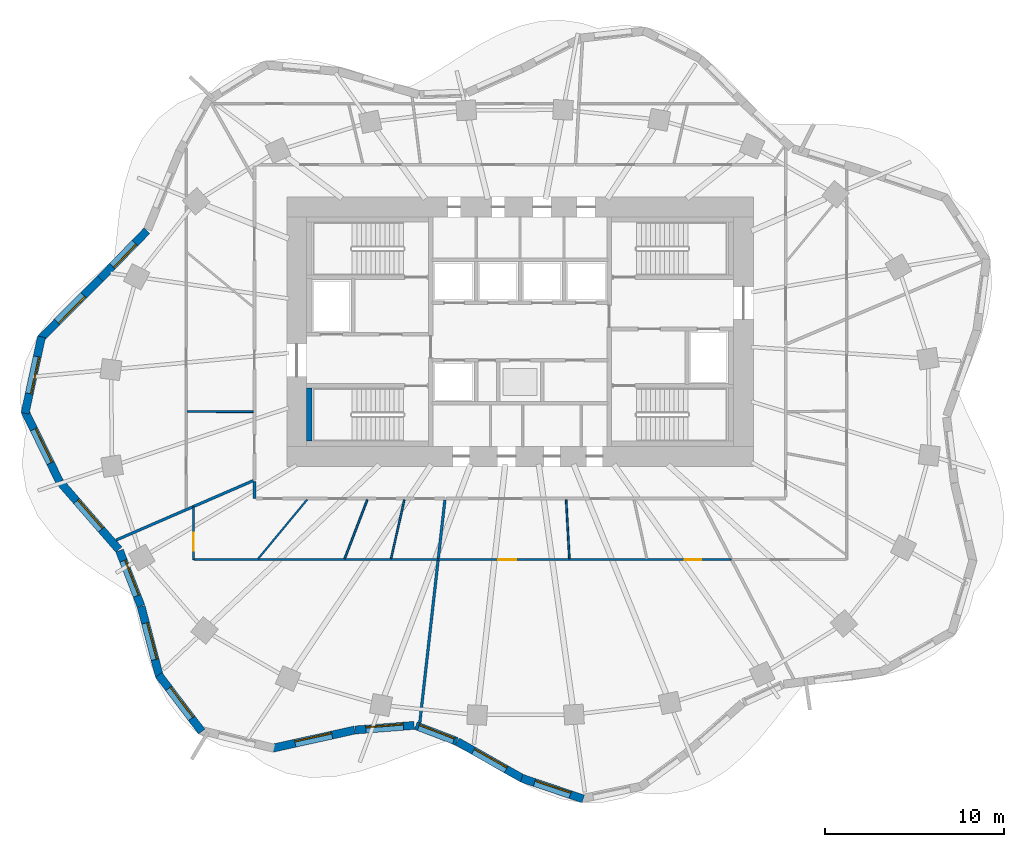
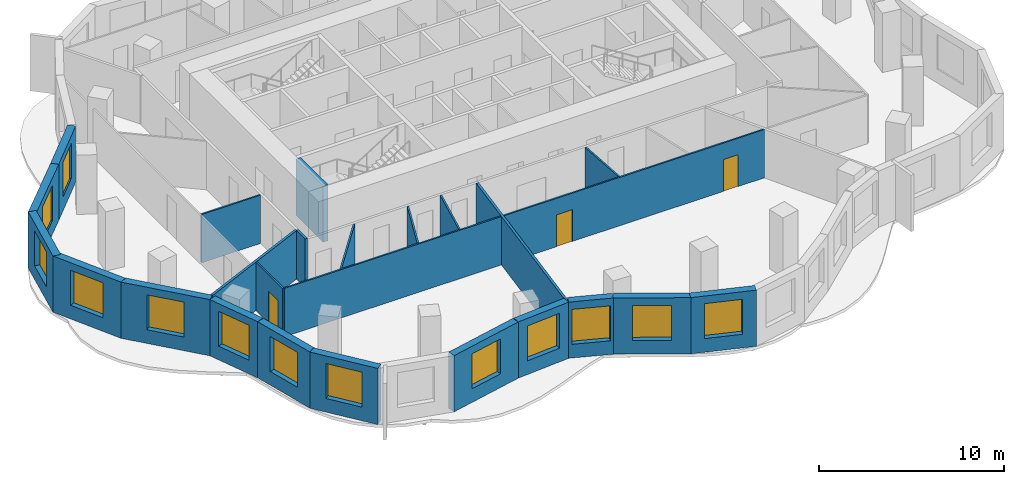
# One storey, part 3 of 10: 25 walls, 13 windows, 3 doors, 16 openings.
"""IFC4 building model written with IfcOpenShell, lengths in metres."""

from ifc_helpers import new_model, si_unit, direction, frame, frame_2d, origin, place, context, subcontext, project, spatial, rectangle, extrude, material, layer, layer_set, type_object, element, fill, save


model = new_model("IFC4")

# Units and contexts
model_context = context("Model", 3, precision=1e-05, world=origin(), true_north=direction((0.0, 1.0)))
body_context = subcontext(model_context, "Body", "Model", "MODEL_VIEW")
ifc_project = project(units=[si_unit("LENGTHUNIT", "METRE"), si_unit("AREAUNIT", "SQUARE_METRE"), si_unit("VOLUMEUNIT", "CUBIC_METRE"), si_unit("PLANEANGLEUNIT", "RADIAN"), si_unit("MASSUNIT", "GRAM", prefix="KILO")], contexts=[model_context])

# Site, building, storey
site_placement = place(None, origin())
site = spatial("IfcSite", under=ifc_project, at=site_placement, CompositionType="ELEMENT")
building_placement = place(site_placement, origin())
building = spatial("IfcBuilding", under=site, at=building_placement, Name="Rubra Terraces Tower", CompositionType="ELEMENT")
storey_placement = place(building_placement, frame((0.0, 0.0, 134.39990234375)))
storey = spatial("IfcBuildingStorey", under=building, at=storey_placement, Name="L32", CompositionType="ELEMENT", Elevation=134.39990234375)

# Wall, opening, window
ifc_material_1 = material(Name="Brick masonry red-brown", Category="masonry")
ifc_layer_1 = layer(ifc_material_1, 0.449951171875)
ifc_layer_set_1 = layer_set([ifc_layer_1], Name="Brick masonry red-brown")
wall_type_1 = type_object("IfcWallType", Name="Brick facade wall 450", PredefinedType="SOLIDWALL", material=ifc_layer_set_1)
wall_1_placement = place(storey_placement, frame((-20.795654296875, 10.1240234375, 0.0), z_axis=(0.0, 0.0, 1.0), x_axis=(-0.697121527554, -0.716952980203, 0.0)))
wall_1 = element("IfcWall", 1, at=wall_1_placement, inside=storey, type_object=wall_type_1, Name="Facade wall L32 bay 18", PredefinedType="SOLIDWALL", context=body_context, shape_type="SweptSolid", body=[
    extrude(rectangle(XDim=3.7177734375, YDim=0.449951171875, at=frame_2d((1.85888671875, 0.0))), origin(), (0.0, 0.0, 1.0), 3.7001953125),
])
opening_1_placement = place(wall_1_placement, frame((0.958984375, 0.0, 0.89990234375)))
opening_1 = element("IfcOpeningElement", 2, at=opening_1_placement, cuts=wall_1, Name="Opening W6B", PredefinedType="OPENING", context=body_context, shape_type="SweptSolid", body=[
    extrude(rectangle(XDim=1.800048828125, YDim=2.300048828125, at=frame_2d((0.89990234375, 1.14990234375))), frame((0.0, 0.23486328125, 0.0), z_axis=(0.0, -1.0, 0.0), x_axis=(1.0, 0.0, 0.0)), (0.0, 0.0, 1.0), 0.469970703125),
])
ifc_material_2 = material(Name="Clear glass in aluminium frame", Category="aluminium")
window_type_1 = type_object("IfcWindowType", Name="Fixed deep-set window at wind fin tall storey 1800 x 2300", PartitioningType="SINGLE_PANEL", PredefinedType="WINDOW", material=ifc_material_2)
window_1_placement = place(opening_1_placement, origin())
window_1 = element("IfcWindow", 3, at=window_1_placement, inside=storey, type_object=window_type_1, Name="Window L32 bay 18", OverallHeight=2.300048828125, OverallWidth=1.800048828125, PartitioningType="SINGLE_PANEL", PredefinedType="WINDOW", context=body_context, shape_type="SweptSolid", body=[
    extrude(rectangle(XDim=1.800048828125, YDim=2.300048828125, at=frame_2d((0.89990234375, 1.14990234375))), frame((0.0, 0.135009765625, 0.0), z_axis=(0.0, -1.0, 0.0), x_axis=(1.0, 0.0, 0.0)), (0.0, 0.0, 1.0), 0.06005859375),
])
fill(opening_1, window_1)

wall_2_placement = place(storey_placement, frame((-23.389892578125, 7.45556640625, 0.0), z_axis=(0.0, 0.0, 1.0), x_axis=(-0.705349231702, -0.708859973011, 0.0)))
wall_2 = element("IfcWall", 4, at=wall_2_placement, inside=storey, type_object=wall_type_1, Name="Facade wall L32 bay 19", PredefinedType="SOLIDWALL", context=body_context, shape_type="SweptSolid", body=[
    extrude(rectangle(XDim=4.728759765625, YDim=0.449951171875, at=frame_2d((2.3642578125, 0.0))), origin(), (0.0, 0.0, 1.0), 3.7001953125),
])
opening_2_placement = place(wall_2_placement, frame((1.314453125, 0.0, 0.89990234375)))
opening_2 = element("IfcOpeningElement", 5, at=opening_2_placement, cuts=wall_2, Name="Opening W1B", PredefinedType="OPENING", context=body_context, shape_type="SweptSolid", body=[
    extrude(rectangle(XDim=2.10009765625, YDim=2.300048828125, at=frame_2d((1.050048828125, 1.14990234375))), frame((0.0, 0.23486328125, 0.0), z_axis=(0.0, -1.0, 0.0), x_axis=(1.0, 0.0, 0.0)), (0.0, 0.0, 1.0), 0.469970703125),
])
window_type_2 = type_object("IfcWindowType", Name="Fixed deep-set window tall storey 2100 x 2300", PartitioningType="SINGLE_PANEL", PredefinedType="WINDOW", material=ifc_material_2)
window_2_placement = place(opening_2_placement, origin())
window_2 = element("IfcWindow", 6, at=window_2_placement, inside=storey, type_object=window_type_2, Name="Window L32 bay 19", OverallHeight=2.300048828125, OverallWidth=2.10009765625, PartitioningType="SINGLE_PANEL", PredefinedType="WINDOW", context=body_context, shape_type="SweptSolid", body=[
    extrude(rectangle(XDim=2.10009765625, YDim=2.300048828125, at=frame_2d((1.050048828125, 1.14990234375))), frame((0.0, 0.135009765625, 0.0), z_axis=(0.0, -1.0, 0.0), x_axis=(1.0, 0.0, 0.0)), (0.0, 0.0, 1.0), 0.06005859375),
])
fill(opening_2, window_2)

wall_3_placement = place(storey_placement, frame((-26.668212890625, 4.21142578125, 0.0), z_axis=(0.0, 0.0, 1.0), x_axis=(-0.210910311825, -0.977505417052, 0.0)))
wall_3 = element("IfcWall", 7, at=wall_3_placement, inside=storey, type_object=wall_type_1, Name="Facade wall L32 bay 20", PredefinedType="SOLIDWALL", context=body_context, shape_type="SweptSolid", body=[
    extrude(rectangle(XDim=4.35693359375, YDim=0.449951171875, at=frame_2d((2.178466796875, 0.0))), origin(), (0.0, 0.0, 1.0), 3.7001953125),
])
opening_3_placement = place(wall_3_placement, frame((1.12841796875, 0.0, 0.89990234375)))
opening_3 = element("IfcOpeningElement", 8, at=opening_3_placement, cuts=wall_3, Name="Opening W1B", PredefinedType="OPENING", context=body_context, shape_type="SweptSolid", body=[
    extrude(rectangle(XDim=2.10009765625, YDim=2.300048828125, at=frame_2d((1.050048828125, 1.14990234375))), frame((0.0, 0.23486328125, 0.0), z_axis=(0.0, -1.0, 0.0), x_axis=(1.0, 0.0, 0.0)), (0.0, 0.0, 1.0), 0.469970703125),
])
window_3_placement = place(opening_3_placement, origin())
window_3 = element("IfcWindow", 9, at=window_3_placement, inside=storey, type_object=window_type_2, Name="Window L32 bay 20", OverallHeight=2.300048828125, OverallWidth=2.10009765625, PartitioningType="SINGLE_PANEL", PredefinedType="WINDOW", context=body_context, shape_type="SweptSolid", body=[
    extrude(rectangle(XDim=2.10009765625, YDim=2.300048828125, at=frame_2d((1.050048828125, 1.14990234375))), frame((0.0, 0.135009765625, 0.0), z_axis=(0.0, -1.0, 0.0), x_axis=(1.0, 0.0, 0.0)), (0.0, 0.0, 1.0), 0.06005859375),
])
fill(opening_3, window_3)

wall_4_placement = place(storey_placement, frame((-27.60498046875, 0.09912109375, 0.0), z_axis=(0.0, 0.0, 1.0), x_axis=(0.440876526139, -0.897567762734, 0.0)))
wall_4 = element("IfcWall", 10, at=wall_4_placement, inside=storey, type_object=wall_type_1, Name="Facade wall L32 bay 21", PredefinedType="SOLIDWALL", context=body_context, shape_type="SweptSolid", body=[
    extrude(rectangle(XDim=4.4150390625, YDim=0.449951171875, at=frame_2d((2.20751953125, 0.0))), origin(), (0.0, 0.0, 1.0), 3.7001953125),
])
opening_4_placement = place(wall_4_placement, frame((1.15771484375, 0.0, 0.89990234375)))
opening_4 = element("IfcOpeningElement", 11, at=opening_4_placement, cuts=wall_4, Name="Opening W1B", PredefinedType="OPENING", context=body_context, shape_type="SweptSolid", body=[
    extrude(rectangle(XDim=2.10009765625, YDim=2.300048828125, at=frame_2d((1.050048828125, 1.14990234375))), frame((0.0, 0.23486328125, 0.0), z_axis=(0.0, -1.0, 0.0), x_axis=(1.0, 0.0, 0.0)), (0.0, 0.0, 1.0), 0.469970703125),
])
window_4_placement = place(opening_4_placement, origin())
window_4 = element("IfcWindow", 12, at=window_4_placement, inside=storey, type_object=window_type_2, Name="Window L32 bay 21", OverallHeight=2.300048828125, OverallWidth=2.10009765625, PartitioningType="SINGLE_PANEL", PredefinedType="WINDOW", context=body_context, shape_type="SweptSolid", body=[
    extrude(rectangle(XDim=2.10009765625, YDim=2.300048828125, at=frame_2d((1.050048828125, 1.14990234375))), frame((0.0, 0.135009765625, 0.0), z_axis=(0.0, -1.0, 0.0), x_axis=(1.0, 0.0, 0.0)), (0.0, 0.0, 1.0), 0.06005859375),
])
fill(opening_4, window_4)

wall_5_placement = place(storey_placement, frame((-25.690673828125, -3.815185546875, 0.0), z_axis=(0.0, 0.0, 1.0), x_axis=(0.656552883353, -0.754279995334, 0.0)))
wall_5 = element("IfcWall", 13, at=wall_5_placement, inside=storey, type_object=wall_type_1, Name="Facade wall L32 bay 22", PredefinedType="SOLIDWALL", context=body_context, shape_type="SweptSolid", body=[
    extrude(rectangle(XDim=5.0712890625, YDim=0.449951171875, at=frame_2d((2.53564453125, 0.0))), origin(), (0.0, 0.0, 1.0), 3.7001953125),
])
opening_5_placement = place(wall_5_placement, frame((1.485595703125, 0.0, 0.89990234375)))
opening_5 = element("IfcOpeningElement", 14, at=opening_5_placement, cuts=wall_5, Name="Opening W1B", PredefinedType="OPENING", context=body_context, shape_type="SweptSolid", body=[
    extrude(rectangle(XDim=2.10009765625, YDim=2.300048828125, at=frame_2d((1.050048828125, 1.14990234375))), frame((0.0, 0.23486328125, 0.0), z_axis=(0.0, -1.0, 0.0), x_axis=(1.0, 0.0, 0.0)), (0.0, 0.0, 1.0), 0.469970703125),
])
window_5_placement = place(opening_5_placement, origin())
window_5 = element("IfcWindow", 15, at=window_5_placement, inside=storey, type_object=window_type_2, Name="Window L32 bay 22", OverallHeight=2.300048828125, OverallWidth=2.10009765625, PartitioningType="SINGLE_PANEL", PredefinedType="WINDOW", context=body_context, shape_type="SweptSolid", body=[
    extrude(rectangle(XDim=2.10009765625, YDim=2.300048828125, at=frame_2d((1.050048828125, 1.14990234375))), frame((0.0, 0.135009765625, 0.0), z_axis=(0.0, -1.0, 0.0), x_axis=(1.0, 0.0, 0.0)), (0.0, 0.0, 1.0), 0.06005859375),
])
fill(opening_5, window_5)

wall_6_placement = place(storey_placement, frame((-22.323486328125, -7.70068359375, 0.0), z_axis=(0.0, 0.0, 1.0), x_axis=(0.361550075906, -0.932352692178, 0.0)))
wall_6 = element("IfcWall", 16, at=wall_6_placement, inside=storey, type_object=wall_type_1, Name="Facade wall L32 bay 23", PredefinedType="SOLIDWALL", context=body_context, shape_type="SweptSolid", body=[
    extrude(rectangle(XDim=3.3134765625, YDim=0.449951171875, at=frame_2d((1.65673828125, 0.0))), origin(), (0.0, 0.0, 1.0), 3.7001953125),
])
opening_6_placement = place(wall_6_placement, frame((0.606689453125, 0.0, 0.89990234375)))
opening_6 = element("IfcOpeningElement", 17, at=opening_6_placement, cuts=wall_6, Name="Opening W1B", PredefinedType="OPENING", context=body_context, shape_type="SweptSolid", body=[
    extrude(rectangle(XDim=2.10009765625, YDim=2.300048828125, at=frame_2d((1.050048828125, 1.14990234375))), frame((0.0, 0.23486328125, 0.0), z_axis=(0.0, -1.0, 0.0), x_axis=(1.0, 0.0, 0.0)), (0.0, 0.0, 1.0), 0.469970703125),
])
window_6_placement = place(opening_6_placement, origin())
window_6 = element("IfcWindow", 18, at=window_6_placement, inside=storey, type_object=window_type_2, Name="Window L32 bay 23", OverallHeight=2.300048828125, OverallWidth=2.10009765625, PartitioningType="SINGLE_PANEL", PredefinedType="WINDOW", context=body_context, shape_type="SweptSolid", body=[
    extrude(rectangle(XDim=2.10009765625, YDim=2.300048828125, at=frame_2d((1.050048828125, 1.14990234375))), frame((0.0, 0.135009765625, 0.0), z_axis=(0.0, -1.0, 0.0), x_axis=(1.0, 0.0, 0.0)), (0.0, 0.0, 1.0), 0.06005859375),
])
fill(opening_6, window_6)

wall_7_placement = place(storey_placement, frame((-21.11669921875, -10.8154296875, 0.0), z_axis=(0.0, 0.0, 1.0), x_axis=(0.253065392985, -0.967449175344, 0.0)))
wall_7 = element("IfcWall", 19, at=wall_7_placement, inside=storey, type_object=wall_type_1, Name="Facade wall L32 bay 24", PredefinedType="SOLIDWALL", context=body_context, shape_type="SweptSolid", body=[
    extrude(rectangle(XDim=4.01513671875, YDim=0.449951171875, at=frame_2d((2.007568359375, 0.0))), origin(), (0.0, 0.0, 1.0), 3.7001953125),
])
opening_7_placement = place(wall_7_placement, frame((0.95751953125, 0.0, 0.89990234375)))
opening_7 = element("IfcOpeningElement", 20, at=opening_7_placement, cuts=wall_7, Name="Opening W1B", PredefinedType="OPENING", context=body_context, shape_type="SweptSolid", body=[
    extrude(rectangle(XDim=2.10009765625, YDim=2.300048828125, at=frame_2d((1.050048828125, 1.14990234375))), frame((0.0, 0.23486328125, 0.0), z_axis=(0.0, -1.0, 0.0), x_axis=(1.0, 0.0, 0.0)), (0.0, 0.0, 1.0), 0.469970703125),
])
window_7_placement = place(opening_7_placement, origin())
window_7 = element("IfcWindow", 21, at=window_7_placement, inside=storey, type_object=window_type_2, Name="Window L32 bay 24", OverallHeight=2.300048828125, OverallWidth=2.10009765625, PartitioningType="SINGLE_PANEL", PredefinedType="WINDOW", context=body_context, shape_type="SweptSolid", body=[
    extrude(rectangle(XDim=2.10009765625, YDim=2.300048828125, at=frame_2d((1.050048828125, 1.14990234375))), frame((0.0, 0.135009765625, 0.0), z_axis=(0.0, -1.0, 0.0), x_axis=(1.0, 0.0, 0.0)), (0.0, 0.0, 1.0), 0.06005859375),
])
fill(opening_7, window_7)

wall_8_placement = place(storey_placement, frame((-20.1376953125, -14.6259765625, 0.0), z_axis=(0.0, 0.0, 1.0), x_axis=(0.604591324894, -0.796535830872, 0.0)))
wall_8 = element("IfcWall", 22, at=wall_8_placement, inside=storey, type_object=wall_type_1, Name="Facade wall L32 bay 25", PredefinedType="SOLIDWALL", context=body_context, shape_type="SweptSolid", body=[
    extrude(rectangle(XDim=3.964599609375, YDim=0.449951171875, at=frame_2d((1.982421875, 0.0))), origin(), (0.0, 0.0, 1.0), 3.7001953125),
])
opening_8_placement = place(wall_8_placement, frame((0.932373046875, 0.0, 0.89990234375)))
opening_8 = element("IfcOpeningElement", 23, at=opening_8_placement, cuts=wall_8, Name="Opening W1B", PredefinedType="OPENING", context=body_context, shape_type="SweptSolid", body=[
    extrude(rectangle(XDim=2.10009765625, YDim=2.300048828125, at=frame_2d((1.050048828125, 1.14990234375))), frame((0.0, 0.23486328125, 0.0), z_axis=(0.0, -1.0, 0.0), x_axis=(1.0, 0.0, 0.0)), (0.0, 0.0, 1.0), 0.469970703125),
])
window_8_placement = place(opening_8_placement, origin())
window_8 = element("IfcWindow", 24, at=window_8_placement, inside=storey, type_object=window_type_2, Name="Window L32 bay 25", OverallHeight=2.300048828125, OverallWidth=2.10009765625, PartitioningType="SINGLE_PANEL", PredefinedType="WINDOW", context=body_context, shape_type="SweptSolid", body=[
    extrude(rectangle(XDim=2.10009765625, YDim=2.300048828125, at=frame_2d((1.050048828125, 1.14990234375))), frame((0.0, 0.135009765625, 0.0), z_axis=(0.0, -1.0, 0.0), x_axis=(1.0, 0.0, 0.0)), (0.0, 0.0, 1.0), 0.06005859375),
])
fill(opening_8, window_8)

wall_9_placement = place(storey_placement, frame((-13.802001953125, -18.714599609375, 0.0), z_axis=(0.0, 0.0, 1.0), x_axis=(0.976380129166, 0.216059814331, 0.0)))
wall_9 = element("IfcWall", 25, at=wall_9_placement, inside=storey, type_object=wall_type_1, Name="Facade wall L32 bay 27", PredefinedType="SOLIDWALL", context=body_context, shape_type="SweptSolid", body=[
    extrude(rectangle(XDim=4.691650390625, YDim=0.449951171875, at=frame_2d((2.345703125, 0.0))), origin(), (0.0, 0.0, 1.0), 3.7001953125),
])
opening_9_placement = place(wall_9_placement, frame((1.295654296875, 0.0, 0.89990234375)))
opening_9 = element("IfcOpeningElement", 26, at=opening_9_placement, cuts=wall_9, Name="Opening W1B", PredefinedType="OPENING", context=body_context, shape_type="SweptSolid", body=[
    extrude(rectangle(XDim=2.10009765625, YDim=2.300048828125, at=frame_2d((1.050048828125, 1.14990234375))), frame((0.0, 0.23486328125, 0.0), z_axis=(0.0, -1.0, 0.0), x_axis=(1.0, 0.0, 0.0)), (0.0, 0.0, 1.0), 0.469970703125),
])
window_9_placement = place(opening_9_placement, origin())
window_9 = element("IfcWindow", 27, at=window_9_placement, inside=storey, type_object=window_type_2, Name="Window L32 bay 27", OverallHeight=2.300048828125, OverallWidth=2.10009765625, PartitioningType="SINGLE_PANEL", PredefinedType="WINDOW", context=body_context, shape_type="SweptSolid", body=[
    extrude(rectangle(XDim=2.10009765625, YDim=2.300048828125, at=frame_2d((1.050048828125, 1.14990234375))), frame((0.0, 0.135009765625, 0.0), z_axis=(0.0, -1.0, 0.0), x_axis=(1.0, 0.0, 0.0)), (0.0, 0.0, 1.0), 0.06005859375),
])
fill(opening_9, window_9)

wall_10_placement = place(storey_placement, frame((-9.188232421875, -17.69677734375, 0.0), z_axis=(0.0, 0.0, 1.0), x_axis=(0.996964028691, 0.077863505548, 0.0)))
wall_10 = element("IfcWall", 28, at=wall_10_placement, inside=storey, type_object=wall_type_1, Name="Facade wall L32 bay 28", PredefinedType="SOLIDWALL", context=body_context, shape_type="SweptSolid", body=[
    extrude(rectangle(XDim=3.29541015625, YDim=0.449951171875, at=frame_2d((1.647705078125, 0.0))), origin(), (0.0, 0.0, 1.0), 3.7001953125),
])
opening_10_placement = place(wall_10_placement, frame((0.59765625, 0.0, 0.89990234375)))
opening_10 = element("IfcOpeningElement", 29, at=opening_10_placement, cuts=wall_10, Name="Opening W1B", PredefinedType="OPENING", context=body_context, shape_type="SweptSolid", body=[
    extrude(rectangle(XDim=2.10009765625, YDim=2.300048828125, at=frame_2d((1.050048828125, 1.14990234375))), frame((0.0, 0.23486328125, 0.0), z_axis=(0.0, -1.0, 0.0), x_axis=(1.0, 0.0, 0.0)), (0.0, 0.0, 1.0), 0.469970703125),
])
window_10_placement = place(opening_10_placement, origin())
window_10 = element("IfcWindow", 30, at=window_10_placement, inside=storey, type_object=window_type_2, Name="Window L32 bay 28", OverallHeight=2.300048828125, OverallWidth=2.10009765625, PartitioningType="SINGLE_PANEL", PredefinedType="WINDOW", context=body_context, shape_type="SweptSolid", body=[
    extrude(rectangle(XDim=2.10009765625, YDim=2.300048828125, at=frame_2d((1.050048828125, 1.14990234375))), frame((0.0, 0.135009765625, 0.0), z_axis=(0.0, -1.0, 0.0), x_axis=(1.0, 0.0, 0.0)), (0.0, 0.0, 1.0), 0.06005859375),
])
fill(opening_10, window_10)

wall_11_placement = place(storey_placement, frame((-5.810546875, -17.45458984375, 0.0), z_axis=(0.0, 0.0, 1.0), x_axis=(0.934122271306, -0.35695319336, 0.0)))
wall_11 = element("IfcWall", 31, at=wall_11_placement, inside=storey, type_object=wall_type_1, Name="Facade wall L32 bay 29", PredefinedType="SOLIDWALL", context=body_context, shape_type="SweptSolid", body=[
    extrude(rectangle(XDim=2.447998046875, YDim=0.449951171875, at=frame_2d((1.22412109375, 0.0))), origin(), (0.0, 0.0, 1.0), 3.7001953125),
])
opening_11_placement = place(wall_11_placement, frame((0.174072265625, 0.0, 0.89990234375)))
opening_11 = element("IfcOpeningElement", 32, at=opening_11_placement, cuts=wall_11, Name="Opening W1B", PredefinedType="OPENING", context=body_context, shape_type="SweptSolid", body=[
    extrude(rectangle(XDim=2.10009765625, YDim=2.300048828125, at=frame_2d((1.050048828125, 1.14990234375))), frame((0.0, 0.23486328125, 0.0), z_axis=(0.0, -1.0, 0.0), x_axis=(1.0, 0.0, 0.0)), (0.0, 0.0, 1.0), 0.469970703125),
])
window_11_placement = place(opening_11_placement, origin())
window_11 = element("IfcWindow", 33, at=window_11_placement, inside=storey, type_object=window_type_2, Name="Window L32 bay 29", OverallHeight=2.300048828125, OverallWidth=2.10009765625, PartitioningType="SINGLE_PANEL", PredefinedType="WINDOW", context=body_context, shape_type="SweptSolid", body=[
    extrude(rectangle(XDim=2.10009765625, YDim=2.300048828125, at=frame_2d((1.050048828125, 1.14990234375))), frame((0.0, 0.135009765625, 0.0), z_axis=(0.0, -1.0, 0.0), x_axis=(1.0, 0.0, 0.0)), (0.0, 0.0, 1.0), 0.06005859375),
])
fill(opening_11, window_11)

wall_12_placement = place(storey_placement, frame((-3.4931640625, -18.3427734375, 0.0), z_axis=(0.0, 0.0, 1.0), x_axis=(0.869825988853, -0.493358641473, 0.0)))
wall_12 = element("IfcWall", 34, at=wall_12_placement, inside=storey, type_object=wall_type_1, Name="Facade wall L32 bay 30", PredefinedType="SOLIDWALL", context=body_context, shape_type="SweptSolid", body=[
    extrude(rectangle(XDim=4.164794921875, YDim=0.449951171875, at=frame_2d((2.08251953125, 0.0))), origin(), (0.0, 0.0, 1.0), 3.7001953125),
])
opening_12_placement = place(wall_12_placement, frame((1.032470703125, 0.0, 0.89990234375)))
opening_12 = element("IfcOpeningElement", 35, at=opening_12_placement, cuts=wall_12, Name="Opening W1B", PredefinedType="OPENING", context=body_context, shape_type="SweptSolid", body=[
    extrude(rectangle(XDim=2.10009765625, YDim=2.300048828125, at=frame_2d((1.050048828125, 1.14990234375))), frame((0.0, 0.23486328125, 0.0), z_axis=(0.0, -1.0, 0.0), x_axis=(1.0, 0.0, 0.0)), (0.0, 0.0, 1.0), 0.469970703125),
])
window_12_placement = place(opening_12_placement, origin())
window_12 = element("IfcWindow", 36, at=window_12_placement, inside=storey, type_object=window_type_2, Name="Window L32 bay 30", OverallHeight=2.300048828125, OverallWidth=2.10009765625, PartitioningType="SINGLE_PANEL", PredefinedType="WINDOW", context=body_context, shape_type="SweptSolid", body=[
    extrude(rectangle(XDim=2.10009765625, YDim=2.300048828125, at=frame_2d((1.050048828125, 1.14990234375))), frame((0.0, 0.135009765625, 0.0), z_axis=(0.0, -1.0, 0.0), x_axis=(1.0, 0.0, 0.0)), (0.0, 0.0, 1.0), 0.06005859375),
])
fill(opening_12, window_12)

wall_13_placement = place(storey_placement, frame((0.090576171875, -20.380126953125, 0.0), z_axis=(0.0, 0.0, 1.0), x_axis=(0.947304227221, -0.320335294791, 0.0)))
wall_13 = element("IfcWall", 37, at=wall_13_placement, inside=storey, type_object=wall_type_1, Name="Facade wall L32 bay 31", PredefinedType="SOLIDWALL", context=body_context, shape_type="SweptSolid", body=[
    extrude(rectangle(XDim=3.6171875, YDim=0.449951171875, at=frame_2d((1.80859375, 0.0))), origin(), (0.0, 0.0, 1.0), 3.7001953125),
])
opening_13_placement = place(wall_13_placement, frame((0.758544921875, 0.0, 0.89990234375)))
opening_13 = element("IfcOpeningElement", 38, at=opening_13_placement, cuts=wall_13, Name="Opening W1B", PredefinedType="OPENING", context=body_context, shape_type="SweptSolid", body=[
    extrude(rectangle(XDim=2.10009765625, YDim=2.300048828125, at=frame_2d((1.050048828125, 1.14990234375))), frame((0.0, 0.23486328125, 0.0), z_axis=(0.0, -1.0, 0.0), x_axis=(1.0, 0.0, 0.0)), (0.0, 0.0, 1.0), 0.469970703125),
])
window_13_placement = place(opening_13_placement, origin())
window_13 = element("IfcWindow", 39, at=window_13_placement, inside=storey, type_object=window_type_2, Name="Window L32 bay 31", OverallHeight=2.300048828125, OverallWidth=2.10009765625, PartitioningType="SINGLE_PANEL", PredefinedType="WINDOW", context=body_context, shape_type="SweptSolid", body=[
    extrude(rectangle(XDim=2.10009765625, YDim=2.300048828125, at=frame_2d((1.050048828125, 1.14990234375))), frame((0.0, 0.135009765625, 0.0), z_axis=(0.0, -1.0, 0.0), x_axis=(1.0, 0.0, 0.0)), (0.0, 0.0, 1.0), 0.06005859375),
])
fill(opening_13, window_13)

# Walls
ifc_material_3 = material(Name="Plasterboard on steel stud, mineral wool infill", Category="steel")
ifc_layer_2 = layer(ifc_material_3, 0.14990234375)
ifc_layer_set_2 = layer_set([ifc_layer_2], Name="Plasterboard on steel stud, mineral wool infill")
wall_type_2 = type_object("IfcWallType", Name="CORRIDOR PARTITION 150", PredefinedType="PARTITIONING", material=ifc_layer_set_2)
wall_14_placement = place(storey_placement, frame((-14.800048828125, -3.845703125, 0.0), z_axis=(0.0, 0.0, 1.0), x_axis=(0.0, -1.0, 0.0)))
element("IfcWall", 40, at=wall_14_placement, inside=storey, type_object=wall_type_2, Name="PARTITION", PredefinedType="PARTITIONING", context=body_context, shape_type="SweptSolid", body=[
    extrude(rectangle(XDim=0.954345703125, YDim=0.14990234375, at=frame_2d((0.47705078125, 0.0))), origin(), (0.0, 0.0, 1.0), 3.197998046875),
])
ifc_material_4 = material(Name="Concrete C40", Category="concrete")
ifc_layer_3 = layer(ifc_material_4, 0.300048828125)
ifc_layer_set_3 = layer_set([ifc_layer_3], Name="Concrete C40")
wall_type_3 = type_object("IfcWallType", Name="Core lining wall 300 concrete", PredefinedType="SOLIDWALL", material=ifc_layer_set_3)
wall_15_placement = place(storey_placement, frame((-11.75, -1.60009765625, 0.0), z_axis=(0.0, 0.0, 1.0), x_axis=(0.0, 1.0, 0.0)))
element("IfcWall", 41, at=wall_15_placement, inside=storey, type_object=wall_type_3, Name="CORE LINING WALL L32", PredefinedType="SOLIDWALL", context=body_context, shape_type="SweptSolid", body=[
    extrude(rectangle(XDim=2.9501953125, YDim=0.300048828125, at=frame_2d((1.47509765625, 0.0))), origin(), (0.0, 0.0, 1.0), 3.7001953125),
])
ifc_material_5 = material(Name="Plasterboard on steel stud", Category="steel")
ifc_layer_4 = layer(ifc_material_5, 0.10009765625)
ifc_layer_set_4 = layer_set([ifc_layer_4], Name="Plasterboard on steel stud")
wall_type_4 = type_object("IfcWallType", Name="ROOM PARTITION 100", PredefinedType="PARTITIONING", material=ifc_layer_set_4)
wall_16_placement = place(storey_placement, frame((-14.875, 0.043212890625, 0.0), z_axis=(0.0, 0.0, 1.0), x_axis=(-0.999999285062, 0.001195774074, 0.0)))
element("IfcWall", 42, at=wall_16_placement, inside=storey, type_object=wall_type_4, Name="PARTITION", PredefinedType="PARTITIONING", context=body_context, shape_type="SweptSolid", body=[
    extrude(rectangle(XDim=3.675048828125, YDim=0.10009765625, at=frame_2d((1.83740234375, 0.0))), origin(), (0.0, 0.0, 1.0), 3.18408203125),
])

# Wall, opening, door
wall_17_placement = place(storey_placement, frame((-18.199951171875, -8.199951171875, 0.0), z_axis=(0.0, 0.0, 1.0), x_axis=(0.0, 1.0, 0.0)))
wall_17 = element("IfcWall", 43, at=wall_17_placement, inside=storey, type_object=wall_type_4, Name="PARTITION", PredefinedType="PARTITIONING", context=body_context, shape_type="SweptSolid", body=[
    extrude(rectangle(XDim=2.93310546875, YDim=0.10009765625, at=frame_2d((1.466552734375, 0.0))), origin(), (0.0, 0.0, 1.0), 3.18408203125),
])
opening_14_placement = place(wall_17_placement, frame((0.5, 0.0, 0.0)))
opening_14 = element("IfcOpeningElement", 44, at=opening_14_placement, cuts=wall_17, Name="Opening 32-111", PredefinedType="OPENING", context=body_context, shape_type="SweptSolid", body=[
    extrude(rectangle(XDim=1.0, YDim=2.10009765625, at=frame_2d((0.5, 1.050048828125))), frame((0.0, 0.06005859375, 0.0), z_axis=(0.0, -1.0, 0.0), x_axis=(1.0, 0.0, 0.0)), (0.0, 0.0, 1.0), 0.1201171875),
])
ifc_material_6 = material(Name="Painted timber door leaf", Category="wood")
door_type_1 = type_object("IfcDoorType", Name="ROOM DOOR 1000 X 2100", OperationType="SINGLE_SWING_LEFT", PredefinedType="DOOR", material=ifc_material_6)
door_1_placement = place(opening_14_placement, origin())
door_1 = element("IfcDoor", 45, at=door_1_placement, inside=storey, type_object=door_type_1, Name="DOOR 32-111", OperationType="SINGLE_SWING_RIGHT", OverallHeight=2.10009765625, OverallWidth=1.0, PredefinedType="DOOR", context=body_context, shape_type="SweptSolid", body=[
    extrude(rectangle(XDim=1.0, YDim=2.10009765625, at=frame_2d((0.5, 1.050048828125))), frame((0.0, 0.02490234375, 0.0), z_axis=(0.0, -1.0, 0.0), x_axis=(1.0, 0.0, 0.0)), (0.0, 0.0, 1.0), 0.050048828125),
])
fill(opening_14, door_1)

# Walls
wall_18_placement = place(storey_placement, frame((-4.584228515625, -8.199951171875, 0.0), z_axis=(0.0, 0.0, 1.0), x_axis=(-1.0, 0.0, 0.0)))
element("IfcWall", 46, at=wall_18_placement, inside=storey, type_object=wall_type_4, Name="PARTITION", PredefinedType="PARTITIONING", context=body_context, shape_type="SweptSolid", body=[
    extrude(rectangle(XDim=13.565673828125, YDim=0.10009765625, at=frame_2d((6.78271484375, 0.0))), origin(), (0.0, 0.0, 1.0), 3.18408203125),
])
wall_19_placement = place(storey_placement, frame((-11.864990234375, -4.85791015625, 0.0), z_axis=(0.0, 0.0, 1.0), x_axis=(-0.638010152626, -0.770027950886, 0.0)))
element("IfcWall", 47, at=wall_19_placement, inside=storey, type_object=wall_type_4, Name="PARTITION", PredefinedType="PARTITIONING", context=body_context, shape_type="SweptSolid", body=[
    extrude(rectangle(XDim=4.290283203125, YDim=0.10009765625, at=frame_2d((2.14501953125, 0.0))), origin(), (0.0, 0.0, 1.0), 3.18408203125),
])
wall_20_placement = place(storey_placement, frame((-8.5126953125, -4.8701171875, 0.0), z_axis=(0.0, 0.0, 1.0), x_axis=(-0.359444024243, -0.933166648266, 0.0)))
element("IfcWall", 48, at=wall_20_placement, inside=storey, type_object=wall_type_4, Name="PARTITION", PredefinedType="PARTITIONING", context=body_context, shape_type="SweptSolid", body=[
    extrude(rectangle(XDim=3.518310546875, YDim=0.10009765625, at=frame_2d((1.75927734375, 0.0))), origin(), (0.0, 0.0, 1.0), 3.18408203125),
])
wall_21_placement = place(storey_placement, frame((-6.453125, -4.873291015625, 0.0), z_axis=(0.0, 0.0, 1.0), x_axis=(-0.21917670953, -0.975685179758, 0.0)))
element("IfcWall", 49, at=wall_21_placement, inside=storey, type_object=wall_type_4, Name="PARTITION", PredefinedType="PARTITIONING", context=body_context, shape_type="SweptSolid", body=[
    extrude(rectangle(XDim=3.359619140625, YDim=0.10009765625, at=frame_2d((1.6796875, 0.0))), origin(), (0.0, 0.0, 1.0), 3.18408203125),
])

# Wall, openings, doors
wall_22_placement = place(storey_placement, frame((11.760498046875, -8.199951171875, 0.0), z_axis=(0.0, 0.0, 1.0), x_axis=(-1.0, 0.0, 0.0)))
wall_22 = element("IfcWall", 50, at=wall_22_placement, inside=storey, type_object=wall_type_4, Name="PARTITION", PredefinedType="PARTITIONING", context=body_context, shape_type="SweptSolid", body=[
    extrude(rectangle(XDim=16.3046875, YDim=0.10009765625, at=frame_2d((8.15234375, 0.0))), origin(), (0.0, 0.0, 1.0), 3.18408203125),
])
opening_15_placement = place(wall_22_placement, frame((11.985107421875, 0.0, 0.0)))
opening_15 = element("IfcOpeningElement", 51, at=opening_15_placement, cuts=wall_22, Name="Opening 32-116", PredefinedType="OPENING", context=body_context, shape_type="SweptSolid", body=[
    extrude(rectangle(XDim=1.0, YDim=2.10009765625, at=frame_2d((0.5, 1.050048828125))), frame((0.0, 0.06005859375, 0.0), z_axis=(0.0, -1.0, 0.0), x_axis=(1.0, 0.0, 0.0)), (0.0, 0.0, 1.0), 0.1201171875),
])
opening_16_placement = place(wall_22_placement, frame((1.674072265625, 0.0, 0.0)))
opening_16 = element("IfcOpeningElement", 52, at=opening_16_placement, cuts=wall_22, Name="Opening 32-118", PredefinedType="OPENING", context=body_context, shape_type="SweptSolid", body=[
    extrude(rectangle(XDim=0.89990234375, YDim=2.10009765625, at=frame_2d((0.449951171875, 1.050048828125))), frame((0.0, 0.06005859375, 0.0), z_axis=(0.0, -1.0, 0.0), x_axis=(1.0, 0.0, 0.0)), (0.0, 0.0, 1.0), 0.1201171875),
])
door_2_placement = place(opening_15_placement, origin())
door_2 = element("IfcDoor", 53, at=door_2_placement, inside=storey, type_object=door_type_1, Name="DOOR 32-116", OperationType="SINGLE_SWING_LEFT", OverallHeight=2.10009765625, OverallWidth=1.0, PredefinedType="DOOR", context=body_context, shape_type="SweptSolid", body=[
    extrude(rectangle(XDim=1.0, YDim=2.10009765625, at=frame_2d((0.5, 1.050048828125))), frame((0.0, 0.02490234375, 0.0), z_axis=(0.0, -1.0, 0.0), x_axis=(1.0, 0.0, 0.0)), (0.0, 0.0, 1.0), 0.050048828125),
])
fill(opening_15, door_2)
door_type_2 = type_object("IfcDoorType", Name="ROOM DOOR 900 X 2100", OperationType="SINGLE_SWING_LEFT", PredefinedType="DOOR", material=ifc_material_6)
door_3_placement = place(opening_16_placement, origin())
door_3 = element("IfcDoor", 54, at=door_3_placement, inside=storey, type_object=door_type_2, Name="DOOR 32-118", OperationType="SINGLE_SWING_LEFT", OverallHeight=2.10009765625, OverallWidth=0.89990234375, PredefinedType="DOOR", context=body_context, shape_type="SweptSolid", body=[
    extrude(rectangle(XDim=0.89990234375, YDim=2.10009765625, at=frame_2d((0.449951171875, 1.050048828125))), frame((0.0, 0.02490234375, 0.0), z_axis=(0.0, -1.0, 0.0), x_axis=(1.0, 0.0, 0.0)), (0.0, 0.0, 1.0), 0.050048828125),
])
fill(opening_16, door_3)

# Walls
wall_23_placement = place(storey_placement, frame((2.56591796875, -4.875, 0.0), z_axis=(0.0, 0.0, 1.0), x_axis=(0.05515260166, -0.998477936927, 0.0)))
element("IfcWall", 55, at=wall_23_placement, inside=storey, type_object=wall_type_4, Name="PARTITION", PredefinedType="PARTITIONING", context=body_context, shape_type="SweptSolid", body=[
    extrude(rectangle(XDim=3.280029296875, YDim=0.10009765625, at=frame_2d((1.64013671875, 0.0))), origin(), (0.0, 0.0, 1.0), 3.18408203125),
])
ifc_layer_5 = layer(ifc_material_5, 0.14990234375)
ifc_layer_set_5 = layer_set([ifc_layer_5], Name="Plasterboard on steel stud")
wall_type_5 = type_object("IfcWallType", Name="ROOM PARTITION 150", PredefinedType="PARTITIONING", material=ifc_layer_set_5)
wall_24_placement = place(storey_placement, frame((-22.51416015625, -7.11572265625, 0.0), z_axis=(0.0, 0.0, 1.0), x_axis=(0.917457618692, 0.397833530392, 0.0)))
element("IfcWall", 56, at=wall_24_placement, inside=storey, type_object=wall_type_5, Name="PARTITION", PredefinedType="PARTITIONING", context=body_context, shape_type="SweptSolid", body=[
    extrude(rectangle(XDim=8.3330078125, YDim=0.14990234375, at=frame_2d((4.16650390625, 0.0))), origin(), (0.0, 0.0, 1.0), 3.197998046875),
])
wall_25_placement = place(storey_placement, frame((-5.589599609375, -17.2939453125, 0.0), z_axis=(0.0, 0.0, 1.0), x_axis=(0.112047950982, 0.993702800983, 0.0)))
element("IfcWall", 57, at=wall_25_placement, inside=storey, type_object=wall_type_5, Name="PARTITION", PredefinedType="PARTITIONING", context=body_context, shape_type="SweptSolid", body=[
    extrude(rectangle(XDim=12.498046875, YDim=0.14990234375, at=frame_2d((6.2490234375, 0.0))), origin(), (0.0, 0.0, 1.0), 3.197998046875),
])

save(model, "model.ifc")
